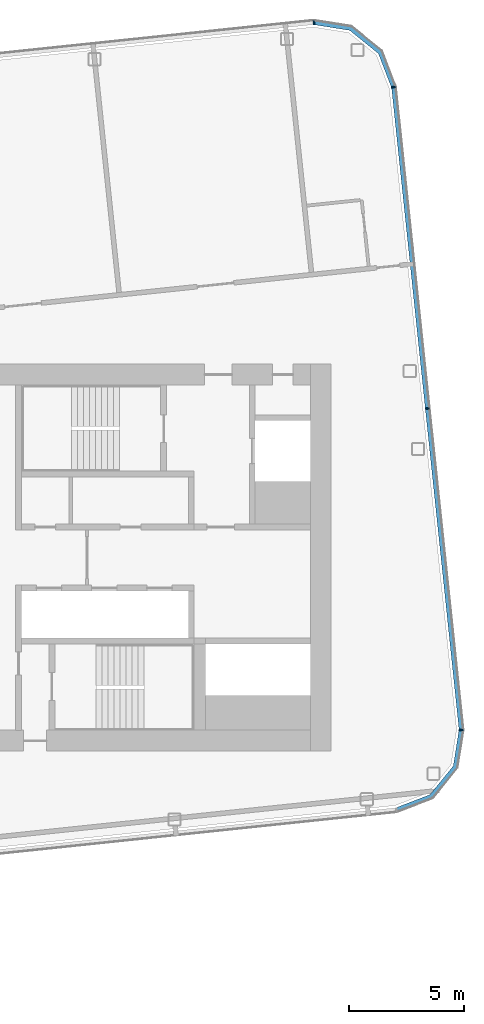
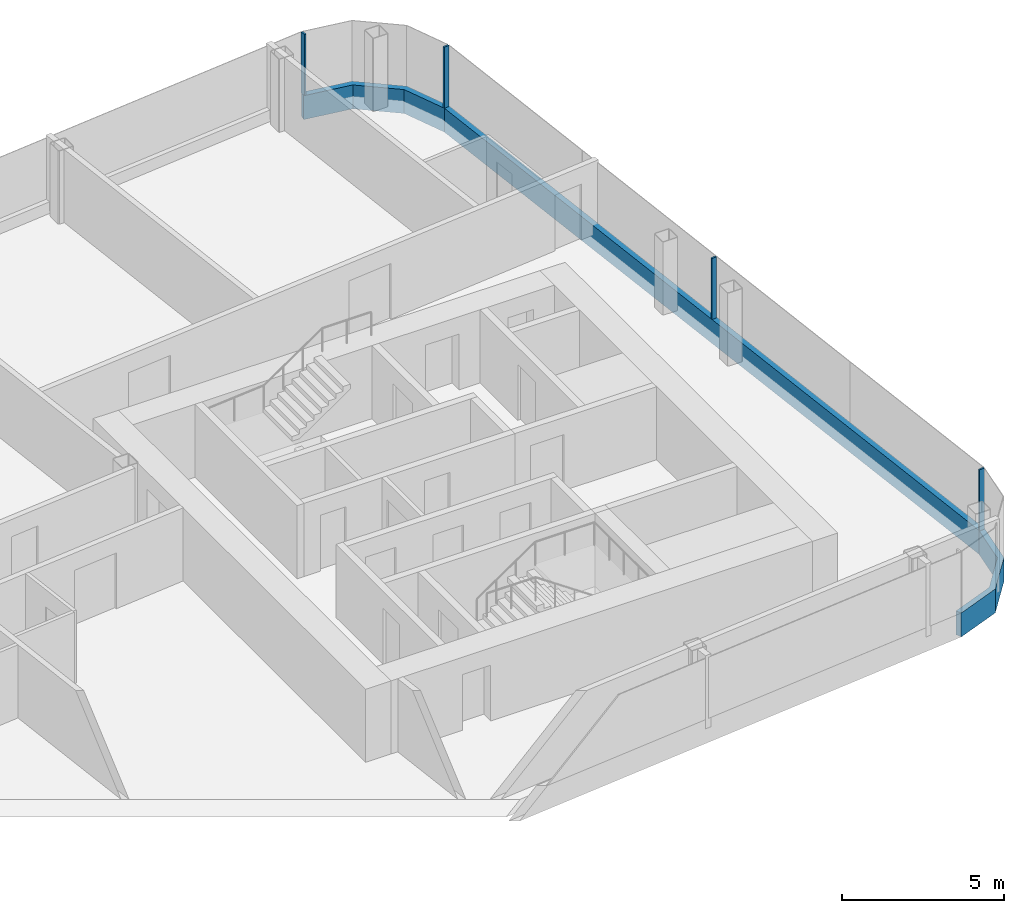
# One storey, part 12 of 27: 7 members, 4 elements without a shape of their own.
"""IFC4 building model written with IfcOpenShell, lengths in metres."""

from ifc_helpers import new_model, si_unit, direction, frame, origin, origin_2d, place, context, subcontext, project, spatial, polyline, rectangle, outline, extrude, material, layer, layer_set, material_profile, profile_set, type_object, element, aggregate, save


model = new_model("IFC4")

# Units and contexts
model_context = context("Model", 3, precision=1e-05, world=origin(), true_north=direction((0.0, 1.0)))
body_context = subcontext(model_context, "Body", "Model", "MODEL_VIEW")
ifc_project = project(units=[si_unit("LENGTHUNIT", "METRE"), si_unit("AREAUNIT", "SQUARE_METRE"), si_unit("VOLUMEUNIT", "CUBIC_METRE"), si_unit("PLANEANGLEUNIT", "RADIAN"), si_unit("MASSUNIT", "GRAM", prefix="KILO")], contexts=[model_context])

# Site, building, storey
site_placement = place(None, origin())
site = spatial("IfcSite", under=ifc_project, at=site_placement, CompositionType="ELEMENT")
building_placement = place(site_placement, origin())
building = spatial("IfcBuilding", under=site, at=building_placement, Name="Hakoniwa Tower and Hamabe Station Hall", CompositionType="ELEMENT")
storey_placement = place(building_placement, frame((0.0, 0.0, 248.60009765625)))
storey = spatial("IfcBuildingStorey", under=building, at=storey_placement, Name="L70", CompositionType="ELEMENT", Elevation=248.60009765625)

# Curtain wall, member
ifc_material_1 = material(Name="Dark low-e laminated glass", Category="glass")
ifc_layer = layer(ifc_material_1, 0.199951171875)
ifc_layer_set = layer_set([ifc_layer], Name="CW-1 UNITISED GUEST")
curtain_wall_type = type_object("IfcCurtainWallType", Name="CW-1 UNITISED GUEST", PredefinedType="NOTDEFINED", material=ifc_layer_set)
curtain_wall_1_placement = place(storey_placement, origin())
curtain_wall_1 = element("IfcCurtainWall", 1, at=curtain_wall_1_placement, inside=storey, type_object=curtain_wall_type, Name="CW-1 curtain wall", PredefinedType="NOTDEFINED")
ifc_material_2 = material(Name="Aluminium 6063-T5 black anodised", Category="aluminium")
ifc_material_profile_1 = material_profile(ifc_material_2, rectangle(XDim=0.199951171875, YDim=0.89990234375, at=origin_2d()), Name="CW SLAB-EDGE BAND 900X200")
ifc_profile_set_1 = profile_set([ifc_material_profile_1], Name="Aluminium 6063-T5 black anodised")
member_type_1 = type_object("IfcMemberType", Name="CW SLAB-EDGE BAND 900X200", PredefinedType="USERDEFINED", material=ifc_profile_set_1)
member_1_placement = place(storey_placement, frame((39.25927734375, -7.490478515625, -0.10009765625), z_axis=(-0.104529086463, 0.994521829868, 0.0), x_axis=(-0.994521829868, -0.104529086463, 0.0)))
member_1 = element("IfcMember", 2, at=member_1_placement, type_object=member_type_1, Name="CW-1 transom", ObjectType="TRANSOM", PredefinedType="USERDEFINED", context=body_context, shape_type="SweptSolid", body=[
    extrude(rectangle(XDim=0.199951171875, YDim=0.89990234375, at=origin_2d()), origin(), (0.0, 0.0, 1.0), 28.078857421875),
])

curtain_wall_2_placement = place(storey_placement, origin())
curtain_wall_2 = element("IfcCurtainWall", 3, at=curtain_wall_2_placement, inside=storey, type_object=curtain_wall_type, Name="CW-1 curtain wall", PredefinedType="NOTDEFINED")
member_2_placement = place(storey_placement, frame((0.0, 0.0, -0.550048828125)))
member_2 = element("IfcMember", 4, at=member_2_placement, type_object=member_type_1, Name="CW-1 transom", ObjectType="TRANSOM", PredefinedType="USERDEFINED", context=body_context, shape_type="SweptSolid", body=[
    extrude(outline(polyline([(36.423828125, 20.445068359375), (35.82421875, 22.0068359375), (34.492431640625, 23.085205078125), (32.84033203125, 23.346923828125), (32.80908203125, 23.1494140625), (34.408203125, 22.89599609375), (35.65673828125, 21.885009765625), (36.237060546875, 20.37353515625), (36.423828125, 20.445068359375)])), origin(), (0.0, 0.0, 1.0), 0.89990234375),
])
aggregate(curtain_wall_2, [member_2])

curtain_wall_3_placement = place(storey_placement, origin())
curtain_wall_3 = element("IfcCurtainWall", 5, at=curtain_wall_3_placement, inside=storey, type_object=curtain_wall_type, Name="CW-1 curtain wall", PredefinedType="NOTDEFINED")
member_3_placement = place(storey_placement, frame((0.0, 0.0, -0.550048828125)))
member_3 = element("IfcMember", 6, at=member_3_placement, type_object=member_type_1, Name="CW-1 transom", ObjectType="TRANSOM", PredefinedType="USERDEFINED", context=body_context, shape_type="SweptSolid", body=[
    extrude(outline(polyline([(36.45703125, -11.0634765625), (38.0185546875, -10.464111328125), (39.09716796875, -9.13232421875), (39.35888671875, -7.47998046875), (39.161376953125, -7.44873046875), (38.907958984375, -9.048095703125), (37.89697265625, -10.296630859375), (36.38525390625, -10.876708984375), (36.45703125, -11.0634765625)])), origin(), (0.0, 0.0, 1.0), 0.89990234375),
])
aggregate(curtain_wall_3, [member_3])

# Member
ifc_material_3 = material(Name="Aluminium 6063-T5 black anodised", Category="aluminium")
ifc_material_profile_2 = material_profile(ifc_material_3, rectangle(XDim=0.06005859375, YDim=0.179931640625, at=origin_2d()), Name="CW-1 MULLION 60X180")
ifc_profile_set_2 = profile_set([ifc_material_profile_2], Name="Aluminium 6063-T5 black anodised")
member_type_2 = type_object("IfcMemberType", Name="CW-1 MULLION 60X180", PredefinedType="MULLION", material=ifc_profile_set_2)
member_4_placement = place(storey_placement, frame((39.241455078125, -7.492431640625, 0.349853515625), z_axis=(0.0, 0.0, 1.0), x_axis=(-0.104528468631, 0.994521894805, 0.0)))
member_4 = element("IfcMember", 7, at=member_4_placement, type_object=member_type_2, Name="CW-1 mullion", PredefinedType="MULLION", context=body_context, shape_type="SweptSolid", body=[
    extrude(rectangle(XDim=0.06005859375, YDim=0.179931640625, at=origin_2d()), origin(), (0.0, 0.0, 1.0), 2.300048828125),
])

member_5_placement = place(storey_placement, frame((37.77392578125, 6.47021484375, 0.349853515625), z_axis=(0.0, 0.0, 1.0), x_axis=(-0.104528468631, 0.994521894805, 0.0)))
member_5 = element("IfcMember", 8, at=member_5_placement, type_object=member_type_2, Name="CW-1 mullion", PredefinedType="MULLION", context=body_context, shape_type="SweptSolid", body=[
    extrude(rectangle(XDim=0.06005859375, YDim=0.179931640625, at=origin_2d()), origin(), (0.0, 0.0, 1.0), 2.300048828125),
])

member_6_placement = place(storey_placement, frame((36.306396484375, 20.432861328125, 0.349853515625), z_axis=(0.0, 0.0, 1.0), x_axis=(-0.104528468631, 0.994521894805, 0.0)))
member_6 = element("IfcMember", 9, at=member_6_placement, type_object=member_type_2, Name="CW-1 mullion", PredefinedType="MULLION", context=body_context, shape_type="SweptSolid", body=[
    extrude(rectangle(XDim=0.06005859375, YDim=0.179931640625, at=origin_2d()), origin(), (0.0, 0.0, 1.0), 2.300048828125),
])

aggregate(curtain_wall_1, [member_4, member_5, member_6, member_1])

# Curtain wall, member
curtain_wall_4_placement = place(storey_placement, origin())
curtain_wall_4 = element("IfcCurtainWall", 10, at=curtain_wall_4_placement, inside=storey, type_object=curtain_wall_type, Name="CW-1 curtain wall", PredefinedType="NOTDEFINED")
member_7_placement = place(storey_placement, frame((32.8525390625, 23.2294921875, 0.349853515625), z_axis=(0.0, 0.0, 1.0), x_axis=(-0.994521895272, -0.104528464188, 0.0)))
member_7 = element("IfcMember", 11, at=member_7_placement, type_object=member_type_2, Name="CW-1 mullion", PredefinedType="MULLION", context=body_context, shape_type="SweptSolid", body=[
    extrude(rectangle(XDim=0.06005859375, YDim=0.179931640625, at=origin_2d()), origin(), (0.0, 0.0, 1.0), 2.300048828125),
])
aggregate(curtain_wall_4, [member_7])

save(model, "model.ifc")
